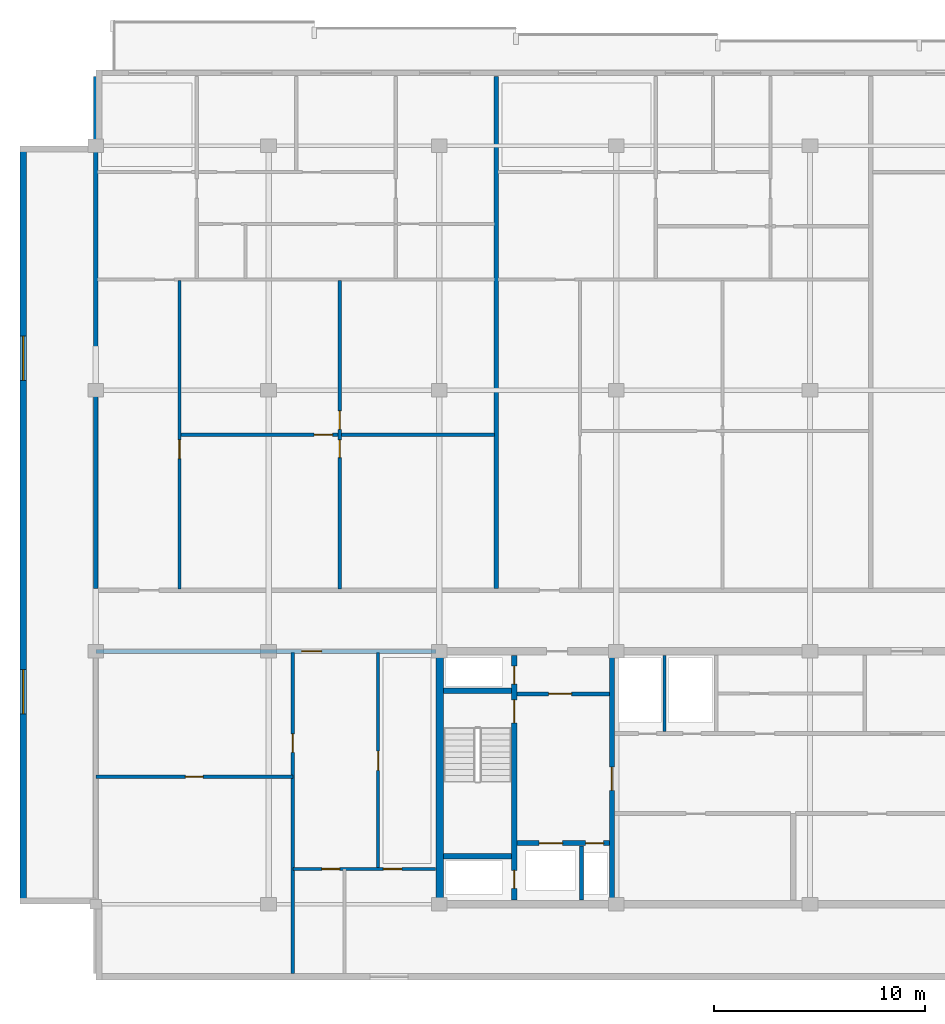
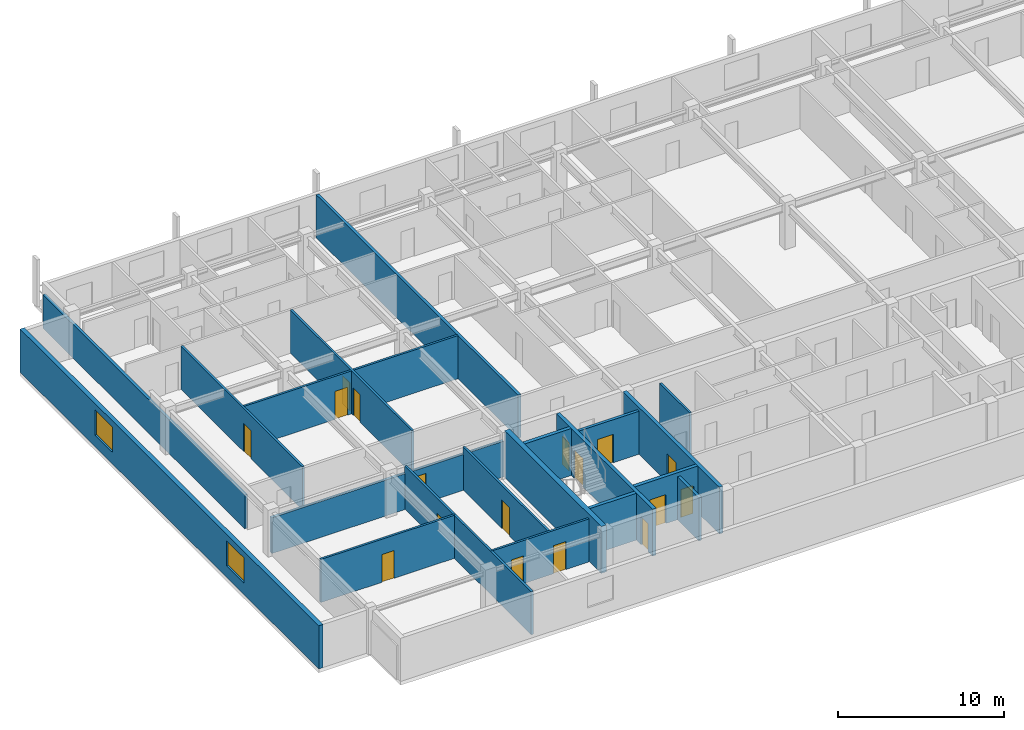
# One storey, part 3 of 11: 20 walls, 17 doors, 2 windows, 19 openings.
"""IFC4 building model written with IfcOpenShell, lengths in metres."""

from ifc_helpers import new_model, si_unit, direction, frame, frame_2d, origin, place, context, subcontext, project, spatial, rectangle, extrude, material, layer, layer_set, type_object, element, fill, save


model = new_model("IFC4")

# Units and contexts
model_context = context("Model", 3, precision=1e-05, world=origin(), true_north=direction((0.0, 1.0)))
body_context = subcontext(model_context, "Body", "Model", "MODEL_VIEW")
ifc_project = project(units=[si_unit("LENGTHUNIT", "METRE"), si_unit("AREAUNIT", "SQUARE_METRE"), si_unit("VOLUMEUNIT", "CUBIC_METRE"), si_unit("PLANEANGLEUNIT", "RADIAN"), si_unit("MASSUNIT", "GRAM", prefix="KILO")], contexts=[model_context])

# Site, building, storey
site_placement = place(None, origin())
site = spatial("IfcSite", under=ifc_project, at=site_placement, CompositionType="ELEMENT")
building_placement = place(site_placement, origin())
building = spatial("IfcBuilding", under=site, at=building_placement, Name="Korimba Cascade Residences", CompositionType="ELEMENT")
storey_placement = place(building_placement, frame((0.0, 0.0, 256.25)))
storey = spatial("IfcBuildingStorey", under=building, at=storey_placement, Name="L74", CompositionType="ELEMENT", Elevation=256.25)

# Wall, openings, windows
ifc_material_1 = material(Name="Precast concrete C40/50", Category="concrete")
ifc_layer_1 = layer(ifc_material_1, 0.300048828125)
ifc_layer_set_1 = layer_set([ifc_layer_1], Name="Precast concrete C40/50")
wall_type_1 = type_object("IfcWallType", Name="EW-STONE-300", PredefinedType="STANDARD", material=ifc_layer_set_1)
wall_1_placement = place(storey_placement, frame((56.35009765625, 91.199951171875, 0.0), z_axis=(0.0, 0.0, 1.0), x_axis=(0.0, -1.0, 0.0)))
wall_1 = element("IfcWall", 1, at=wall_1_placement, inside=storey, type_object=wall_type_1, Name="L74 T1 Perimeter Stone Wall E09", PredefinedType="STANDARD", context=body_context, shape_type="SweptSolid", body=[
    extrude(rectangle(XDim=36.0, YDim=0.300048828125, at=frame_2d((18.0, 0.0))), origin(), (0.0, 0.0, 1.0), 3.169921875),
])
opening_1_placement = place(wall_1_placement, frame((9.030029296875, 0.0, 0.85009765625)))
opening_1 = element("IfcOpeningElement", 2, at=opening_1_placement, cuts=wall_1, Name="Opening W-03", PredefinedType="OPENING", context=body_context, shape_type="SweptSolid", body=[
    extrude(rectangle(XDim=2.10009765625, YDim=1.85009765625, at=frame_2d((1.050048828125, 0.925048828125))), frame((0.0, 0.16015625, 0.0), z_axis=(0.0, -1.0, 0.0), x_axis=(1.0, 0.0, 0.0)), (0.0, 0.0, 1.0), 0.320068359375),
])
opening_2_placement = place(wall_1_placement, frame((24.8701171875, 0.0, 0.85009765625)))
opening_2 = element("IfcOpeningElement", 3, at=opening_2_placement, cuts=wall_1, Name="Opening W-03", PredefinedType="OPENING", context=body_context, shape_type="SweptSolid", body=[
    extrude(rectangle(XDim=2.10009765625, YDim=1.85009765625, at=frame_2d((1.050048828125, 0.925048828125))), frame((0.0, 0.16015625, 0.0), z_axis=(0.0, -1.0, 0.0), x_axis=(1.0, 0.0, 0.0)), (0.0, 0.0, 1.0), 0.320068359375),
])
ifc_material_2 = material(Name="Double-Glazed Aluminium Window", Category="aluminium")
window_type = type_object("IfcWindowType", Name="WIN-CRN-2100", PartitioningType="DOUBLE_PANEL_HORIZONTAL", PredefinedType="WINDOW", material=ifc_material_2)
window_1_placement = place(opening_1_placement, origin())
window_1 = element("IfcWindow", 4, at=window_1_placement, inside=storey, type_object=window_type, Name="L74 T1 End View Window 9.1", OverallHeight=1.85009765625, OverallWidth=2.10009765625, PartitioningType="DOUBLE_PANEL_HORIZONTAL", PredefinedType="WINDOW", context=body_context, shape_type="SweptSolid", body=[
    extrude(rectangle(XDim=2.10009765625, YDim=1.85009765625, at=frame_2d((1.050048828125, 0.925048828125))), frame((0.0, 0.030029296875, 0.0), z_axis=(0.0, -1.0, 0.0), x_axis=(1.0, 0.0, 0.0)), (0.0, 0.0, 1.0), 0.06005859375),
])
fill(opening_1, window_1)
window_2_placement = place(opening_2_placement, origin())
window_2 = element("IfcWindow", 5, at=window_2_placement, inside=storey, type_object=window_type, Name="L74 T1 End View Window 9.2", OverallHeight=1.85009765625, OverallWidth=2.10009765625, PartitioningType="DOUBLE_PANEL_HORIZONTAL", PredefinedType="WINDOW", context=body_context, shape_type="SweptSolid", body=[
    extrude(rectangle(XDim=2.10009765625, YDim=1.85009765625, at=frame_2d((1.050048828125, 0.925048828125))), frame((0.0, 0.030029296875, 0.0), z_axis=(0.0, -1.0, 0.0), x_axis=(1.0, 0.0, 0.0)), (0.0, 0.0, 1.0), 0.06005859375),
])
fill(opening_2, window_2)

# Wall
ifc_material_3 = material(Name="Concrete C65/80", Category="concrete")
ifc_layer_2 = layer(ifc_material_3, 0.35009765625)
ifc_layer_set_2 = layer_set([ifc_layer_2], Name="Concrete C65/80")
wall_type_2 = type_object("IfcWallType", Name="WAL-CORE-350", PredefinedType="SHEAR", material=ifc_layer_set_2)
wall_2_placement = place(storey_placement, frame((76.125, 55.375, 0.0), z_axis=(0.0, 0.0, 1.0), x_axis=(0.0, 1.0, 0.0)))
element("IfcWall", 6, at=wall_2_placement, inside=storey, type_object=wall_type_2, Name="L74 Core Shear Wall CW-L74-T1-W", PredefinedType="SHEAR", context=body_context, shape_type="SweptSolid", body=[
    extrude(rectangle(XDim=11.64990234375, YDim=0.35009765625, at=frame_2d((5.824951171875, 0.0))), origin(), (0.0, 0.0, 1.0), 3.449951171875),
])

# Wall, opening, door
ifc_layer_3 = layer(ifc_material_1, 0.199951171875)
ifc_layer_set_3 = layer_set([ifc_layer_3], Name="Precast concrete C40/50")
wall_type_3 = type_object("IfcWallType", Name="WAL-IT-200", PredefinedType="PARTITIONING", material=ifc_layer_set_3)
wall_3_placement = place(storey_placement, frame((59.800048828125, 67.199951171875, 0.0), z_axis=(0.0, 0.0, 1.0), x_axis=(1.0, 0.0, 0.0)))
wall_3 = element("IfcWall", 7, at=wall_3_placement, inside=storey, type_object=wall_type_3, Name="L74 Partition Wall WAL-L74-T1-FW-N", PredefinedType="PARTITIONING", context=body_context, shape_type="SweptSolid", body=[
    extrude(rectangle(XDim=16.14990234375, YDim=0.199951171875, at=frame_2d((8.074951171875, 0.0))), origin(), (0.0, 0.0, 1.0), 2.63330078125),
])
opening_3_placement = place(wall_3_placement, frame((9.7724609375, 0.0, 0.0)))
opening_3 = element("IfcOpeningElement", 8, at=opening_3_placement, cuts=wall_3, Name="Opening D-UN1", PredefinedType="OPENING", context=body_context, shape_type="SweptSolid", body=[
    extrude(rectangle(XDim=0.949951171875, YDim=2.14990234375, at=frame_2d((0.47509765625, 1.074951171875))), frame((0.0, 0.10986328125, 0.0), z_axis=(0.0, -1.0, 0.0), x_axis=(1.0, 0.0, 0.0)), (0.0, 0.0, 1.0), 0.219970703125),
])
ifc_material_4 = material(Name="Fire-Rated Hardwood Apartment Entrance Door", Category="wood")
door_type_1 = type_object("IfcDoorType", Name="DR-FD60-950", OperationType="NOTDEFINED", PredefinedType="DOOR", material=ifc_material_4)
door_1_placement = place(opening_3_placement, origin())
door_1 = element("IfcDoor", 9, at=door_1_placement, inside=storey, type_object=door_type_1, Name="L74-T1-FW Entrance Door", OperationType="SINGLE_SWING_RIGHT", OverallHeight=2.14990234375, OverallWidth=0.949951171875, PredefinedType="DOOR", context=body_context, shape_type="SweptSolid", body=[
    extrude(rectangle(XDim=0.949951171875, YDim=2.14990234375, at=frame_2d((0.47509765625, 1.074951171875))), frame((0.0, 0.02490234375, 0.0), z_axis=(0.0, -1.0, 0.0), x_axis=(1.0, 0.0, 0.0)), (0.0, 0.0, 1.0), 0.050048828125),
])
fill(opening_3, door_1)

# Walls
wall_4_placement = place(storey_placement, frame((59.800048828125, 70.179931640625, 0.0), z_axis=(0.0, 0.0, 1.0), x_axis=(0.0, 1.0, 0.0)))
element("IfcWall", 10, at=wall_4_placement, inside=storey, type_object=wall_type_3, Name="L74 Partition Wall WAL-L74-T1-BNDWL", PredefinedType="PARTITIONING", context=body_context, shape_type="SweptSolid", body=[
    extrude(rectangle(XDim=24.320068359375, YDim=0.199951171875, at=frame_2d((12.16015625, 0.0))), origin(), (0.0, 0.0, 1.0), 2.47705078125),
])
wall_5_placement = place(storey_placement, frame((78.80908203125, 70.179931640625, 0.0), z_axis=(0.0, 0.0, 1.0), x_axis=(0.0, 1.0, 0.0)))
element("IfcWall", 11, at=wall_5_placement, inside=storey, type_object=wall_type_3, Name="L74 Partition Wall WAL-L74-T1-DEM-1", PredefinedType="PARTITIONING", context=body_context, shape_type="SweptSolid", body=[
    extrude(rectangle(XDim=24.320068359375, YDim=0.199951171875, at=frame_2d((12.16015625, 0.0))), origin(), (0.0, 0.0, 1.0), 3.169921875),
])
ifc_material_5 = material(Name="Insulated Acoustic Stud Partition", Category="gypsum")
ifc_layer_4 = layer(ifc_material_5, 0.14990234375)
ifc_layer_set_4 = layer_set([ifc_layer_4], Name="Insulated Acoustic Stud Partition")
wall_type_4 = type_object("IfcWallType", Name="WAL-PART-150", PredefinedType="PARTITIONING", material=ifc_layer_set_4)
wall_6_placement = place(storey_placement, frame((86.800048828125, 63.39990234375, 0.0), z_axis=(0.0, 0.0, 1.0), x_axis=(0.0, 1.0, 0.0)))
element("IfcWall", 12, at=wall_6_placement, inside=storey, type_object=wall_type_4, Name="L74 Partition Wall CW-L74-T1-ERDIV", PredefinedType="PARTITIONING", context=body_context, shape_type="SweptSolid", body=[
    extrude(rectangle(XDim=3.60009765625, YDim=0.14990234375, at=frame_2d((1.800048828125, 0.0))), origin(), (0.0, 0.0, 1.0), 3.169921875),
])

# Wall, opening, door
wall_7_placement = place(storey_placement, frame((59.800048828125, 61.25, 0.0), z_axis=(0.0, 0.0, 1.0), x_axis=(1.0, 0.0, 0.0)))
wall_7 = element("IfcWall", 13, at=wall_7_placement, inside=storey, type_object=wall_type_4, Name="L74 Partition Wall WAL-L74-T1-FW-STH", PredefinedType="PARTITIONING", context=body_context, shape_type="SweptSolid", body=[
    extrude(rectangle(XDim=9.349853515625, YDim=0.14990234375, at=frame_2d((4.6748046875, 0.0))), origin(), (0.0, 0.0, 1.0), 3.169921875),
])
opening_4_placement = place(wall_7_placement, frame((4.2548828125, 0.0, 0.0)))
opening_4 = element("IfcOpeningElement", 14, at=opening_4_placement, cuts=wall_7, Name="Opening D-BT1", PredefinedType="OPENING", context=body_context, shape_type="SweptSolid", body=[
    extrude(rectangle(XDim=0.840087890625, YDim=2.0400390625, at=frame_2d((0.419921875, 1.02001953125))), frame((0.0, 0.0849609375, 0.0), z_axis=(0.0, -1.0, 0.0), x_axis=(1.0, 0.0, 0.0)), (0.0, 0.0, 1.0), 0.169921875),
])
ifc_material_6 = material(Name="Moisture-Resistant Bathroom Timber Door", Category="wood")
door_type_2 = type_object("IfcDoorType", Name="DR-INT-850", OperationType="NOTDEFINED", PredefinedType="DOOR", material=ifc_material_6)
door_2_placement = place(opening_4_placement, origin())
door_2 = element("IfcDoor", 15, at=door_2_placement, inside=storey, type_object=door_type_2, Name="L74-T1-FW Dressing Store Door", OperationType="SINGLE_SWING_LEFT", OverallHeight=2.0400390625, OverallWidth=0.840087890625, PredefinedType="DOOR", context=body_context, shape_type="SweptSolid", body=[
    extrude(rectangle(XDim=0.840087890625, YDim=2.0400390625, at=frame_2d((0.419921875, 1.02001953125))), frame((0.0, 0.02490234375, 0.0), z_axis=(0.0, -1.0, 0.0), x_axis=(1.0, 0.0, 0.0)), (0.0, 0.0, 1.0), 0.050048828125),
])
fill(opening_4, door_2)

wall_8_placement = place(storey_placement, frame((69.14990234375, 51.89990234375, 0.0), z_axis=(0.0, 0.0, 1.0), x_axis=(0.0, 1.0, 0.0)))
wall_8 = element("IfcWall", 16, at=wall_8_placement, inside=storey, type_object=wall_type_4, Name="L74 Partition Wall WAL-L74-T1-FW-STV", PredefinedType="PARTITIONING", context=body_context, shape_type="SweptSolid", body=[
    extrude(rectangle(XDim=15.25, YDim=0.14990234375, at=frame_2d((7.625, 0.0))), origin(), (0.0, 0.0, 1.0), 3.169921875),
])
opening_5_placement = place(wall_8_placement, frame((10.5, 0.0, 0.0)))
opening_5 = element("IfcOpeningElement", 17, at=opening_5_placement, cuts=wall_8, Name="Opening D-IN2", PredefinedType="OPENING", context=body_context, shape_type="SweptSolid", body=[
    extrude(rectangle(XDim=0.8798828125, YDim=2.06005859375, at=frame_2d((0.43994140625, 1.030029296875))), frame((0.0, 0.0849609375, 0.0), z_axis=(0.0, -1.0, 0.0), x_axis=(1.0, 0.0, 0.0)), (0.0, 0.0, 1.0), 0.169921875),
])
ifc_material_7 = material(Name="Acoustic Timber Bedroom Door", Category="wood")
door_type_3 = type_object("IfcDoorType", Name="DR-INT-880", OperationType="NOTDEFINED", PredefinedType="DOOR", material=ifc_material_7)
door_3_placement = place(opening_5_placement, origin())
door_3 = element("IfcDoor", 18, at=door_3_placement, inside=storey, type_object=door_type_3, Name="L74-T1-FW Study Door", OperationType="SINGLE_SWING_RIGHT", OverallHeight=2.06005859375, OverallWidth=0.8798828125, PredefinedType="DOOR", context=body_context, shape_type="SweptSolid", body=[
    extrude(rectangle(XDim=0.8798828125, YDim=2.06005859375, at=frame_2d((0.43994140625, 1.030029296875))), frame((0.0, 0.02490234375, 0.0), z_axis=(0.0, -1.0, 0.0), x_axis=(1.0, 0.0, 0.0)), (0.0, 0.0, 1.0), 0.050048828125),
])
fill(opening_5, door_3)

wall_9_placement = place(storey_placement, frame((73.199951171875, 56.8701171875, 0.0), z_axis=(0.0, 0.0, 1.0), x_axis=(0.0, 1.0, 0.0)))
wall_9 = element("IfcWall", 19, at=wall_9_placement, inside=storey, type_object=wall_type_4, Name="L74 Partition Wall WAL-L74-T1-FW-VN", PredefinedType="PARTITIONING", context=body_context, shape_type="SweptSolid", body=[
    extrude(rectangle(XDim=10.27978515625, YDim=0.14990234375, at=frame_2d((5.139892578125, 0.0))), origin(), (0.0, 0.0, 1.0), 3.169921875),
])
opening_6_placement = place(wall_9_placement, frame((4.679931640625, 0.0, 0.0)))
opening_6 = element("IfcOpeningElement", 20, at=opening_6_placement, cuts=wall_9, Name="Opening D-IN1", PredefinedType="OPENING", context=body_context, shape_type="SweptSolid", body=[
    extrude(rectangle(XDim=0.919921875, YDim=2.080078125, at=frame_2d((0.4599609375, 1.0400390625))), frame((0.0, 0.0849609375, 0.0), z_axis=(0.0, -1.0, 0.0), x_axis=(1.0, 0.0, 0.0)), (0.0, 0.0, 1.0), 0.169921875),
])
ifc_material_8 = material(Name="Acoustic Timber Living Door", Category="wood")
door_type_4 = type_object("IfcDoorType", Name="DR-INT-920", OperationType="NOTDEFINED", PredefinedType="DOOR", material=ifc_material_8)
door_4_placement = place(opening_6_placement, origin())
door_4 = element("IfcDoor", 21, at=door_4_placement, inside=storey, type_object=door_type_4, Name="L74-T1-FW Living Door", OperationType="SINGLE_SWING_LEFT", OverallHeight=2.080078125, OverallWidth=0.919921875, PredefinedType="DOOR", context=body_context, shape_type="SweptSolid", body=[
    extrude(rectangle(XDim=0.919921875, YDim=2.080078125, at=frame_2d((0.4599609375, 1.0400390625))), frame((0.0, 0.02490234375, 0.0), z_axis=(0.0, -1.0, 0.0), x_axis=(1.0, 0.0, 0.0)), (0.0, 0.0, 1.0), 0.050048828125),
])
fill(opening_6, door_4)

# Wall, openings, doors
wall_10_placement = place(storey_placement, frame((69.169921875, 56.8701171875, 0.0), z_axis=(0.0, 0.0, 1.0), x_axis=(1.0, 0.0, 0.0)))
wall_10 = element("IfcWall", 22, at=wall_10_placement, inside=storey, type_object=wall_type_4, Name="L74 Partition Wall WAL-L74-T1-FW-H", PredefinedType="PARTITIONING", context=body_context, shape_type="SweptSolid", body=[
    extrude(rectangle(XDim=6.760009765625, YDim=0.14990234375, at=frame_2d((3.3798828125, 0.0))), origin(), (0.0, 0.0, 1.0), 3.169921875),
])
opening_7_placement = place(wall_10_placement, frame((1.3623046875, 0.0, 0.0)))
opening_7 = element("IfcOpeningElement", 23, at=opening_7_placement, cuts=wall_10, Name="Opening D-BT1", PredefinedType="OPENING", context=body_context, shape_type="SweptSolid", body=[
    extrude(rectangle(XDim=0.840087890625, YDim=2.0400390625, at=frame_2d((0.419921875, 1.02001953125))), frame((0.0, 0.0849609375, 0.0), z_axis=(0.0, -1.0, 0.0), x_axis=(1.0, 0.0, 0.0)), (0.0, 0.0, 1.0), 0.169921875),
])
opening_8_placement = place(wall_10_placement, frame((4.276611328125, 0.0, 0.0)))
opening_8 = element("IfcOpeningElement", 24, at=opening_8_placement, cuts=wall_10, Name="Opening D-IN2", PredefinedType="OPENING", context=body_context, shape_type="SweptSolid", body=[
    extrude(rectangle(XDim=0.8798828125, YDim=2.06005859375, at=frame_2d((0.43994140625, 1.030029296875))), frame((0.0, 0.0849609375, 0.0), z_axis=(0.0, -1.0, 0.0), x_axis=(1.0, 0.0, 0.0)), (0.0, 0.0, 1.0), 0.169921875),
])
door_5_placement = place(opening_7_placement, origin())
door_5 = element("IfcDoor", 25, at=door_5_placement, inside=storey, type_object=door_type_2, Name="L74-T1-FW Bathroom Door", OperationType="SINGLE_SWING_RIGHT", OverallHeight=2.0400390625, OverallWidth=0.840087890625, PredefinedType="DOOR", context=body_context, shape_type="SweptSolid", body=[
    extrude(rectangle(XDim=0.840087890625, YDim=2.0400390625, at=frame_2d((0.419921875, 1.02001953125))), frame((0.0, 0.02490234375, 0.0), z_axis=(0.0, -1.0, 0.0), x_axis=(1.0, 0.0, 0.0)), (0.0, 0.0, 1.0), 0.050048828125),
])
fill(opening_7, door_5)
door_6_placement = place(opening_8_placement, origin())
door_6 = element("IfcDoor", 26, at=door_6_placement, inside=storey, type_object=door_type_3, Name="L74-T1-FW Bedroom Door", OperationType="SINGLE_SWING_LEFT", OverallHeight=2.06005859375, OverallWidth=0.8798828125, PredefinedType="DOOR", context=body_context, shape_type="SweptSolid", body=[
    extrude(rectangle(XDim=0.8798828125, YDim=2.06005859375, at=frame_2d((0.43994140625, 1.030029296875))), frame((0.0, 0.02490234375, 0.0), z_axis=(0.0, -1.0, 0.0), x_axis=(1.0, 0.0, 0.0)), (0.0, 0.0, 1.0), 0.050048828125),
])
fill(opening_8, door_6)

wall_11_placement = place(storey_placement, frame((71.37939453125, 70.159912109375, 0.0), z_axis=(0.0, 0.0, 1.0), x_axis=(0.0, 1.0, 0.0)))
wall_11 = element("IfcWall", 27, at=wall_11_placement, inside=storey, type_object=wall_type_4, Name="L74 Partition Wall WAL-L74-T1-U01-FMV", PredefinedType="PARTITIONING", context=body_context, shape_type="SweptSolid", body=[
    extrude(rectangle(XDim=14.650146484375, YDim=0.14990234375, at=frame_2d((7.3251953125, 0.0))), origin(), (0.0, 0.0, 1.0), 3.169921875),
])
opening_9_placement = place(wall_11_placement, frame((6.235107421875, 0.0, 0.0)))
opening_9 = element("IfcOpeningElement", 28, at=opening_9_placement, cuts=wall_11, Name="Opening D-BT1", PredefinedType="OPENING", context=body_context, shape_type="SweptSolid", body=[
    extrude(rectangle(XDim=0.840087890625, YDim=2.0400390625, at=frame_2d((0.419921875, 1.02001953125))), frame((0.0, 0.0849609375, 0.0), z_axis=(0.0, -1.0, 0.0), x_axis=(1.0, 0.0, 0.0)), (0.0, 0.0, 1.0), 0.169921875),
])
opening_10_placement = place(wall_11_placement, frame((7.574951171875, 0.0, 0.0)))
opening_10 = element("IfcOpeningElement", 29, at=opening_10_placement, cuts=wall_11, Name="Opening D-IN2", PredefinedType="OPENING", context=body_context, shape_type="SweptSolid", body=[
    extrude(rectangle(XDim=0.8798828125, YDim=2.06005859375, at=frame_2d((0.43994140625, 1.030029296875))), frame((0.0, 0.0849609375, 0.0), z_axis=(0.0, -1.0, 0.0), x_axis=(1.0, 0.0, 0.0)), (0.0, 0.0, 1.0), 0.169921875),
])
door_7_placement = place(opening_9_placement, origin())
door_7 = element("IfcDoor", 30, at=door_7_placement, inside=storey, type_object=door_type_2, Name="L74-T1-U01 Wardrobe Door", OperationType="SINGLE_SWING_LEFT", OverallHeight=2.0400390625, OverallWidth=0.840087890625, PredefinedType="DOOR", context=body_context, shape_type="SweptSolid", body=[
    extrude(rectangle(XDim=0.840087890625, YDim=2.0400390625, at=frame_2d((0.419921875, 1.02001953125))), frame((0.0, 0.02490234375, 0.0), z_axis=(0.0, -1.0, 0.0), x_axis=(1.0, 0.0, 0.0)), (0.0, 0.0, 1.0), 0.050048828125),
])
fill(opening_9, door_7)
door_8_placement = place(opening_10_placement, origin())
door_8 = element("IfcDoor", 31, at=door_8_placement, inside=storey, type_object=door_type_3, Name="L74-T1-U01 Music Lounge Door", OperationType="SINGLE_SWING_RIGHT", OverallHeight=2.06005859375, OverallWidth=0.8798828125, PredefinedType="DOOR", context=body_context, shape_type="SweptSolid", body=[
    extrude(rectangle(XDim=0.8798828125, YDim=2.06005859375, at=frame_2d((0.43994140625, 1.030029296875))), frame((0.0, 0.02490234375, 0.0), z_axis=(0.0, -1.0, 0.0), x_axis=(1.0, 0.0, 0.0)), (0.0, 0.0, 1.0), 0.050048828125),
])
fill(opening_10, door_8)

# Wall, opening, door
wall_12_placement = place(storey_placement, frame((63.830078125, 77.485107421875, 0.0), z_axis=(0.0, 0.0, 1.0), x_axis=(1.0, 0.0, 0.0)))
wall_12 = element("IfcWall", 32, at=wall_12_placement, inside=storey, type_object=wall_type_4, Name="L74 Partition Wall WAL-L74-T1-U01-FMH", PredefinedType="PARTITIONING", context=body_context, shape_type="SweptSolid", body=[
    extrude(rectangle(XDim=14.89892578125, YDim=0.14990234375, at=frame_2d((7.449462890625, 0.0))), origin(), (0.0, 0.0, 1.0), 3.169921875),
])
opening_11_placement = place(wall_12_placement, frame((6.327392578125, 0.0, 0.0)))
opening_11 = element("IfcOpeningElement", 33, at=opening_11_placement, cuts=wall_12, Name="Opening D-IN2", PredefinedType="OPENING", context=body_context, shape_type="SweptSolid", body=[
    extrude(rectangle(XDim=0.8798828125, YDim=2.06005859375, at=frame_2d((0.43994140625, 1.030029296875))), frame((0.0, 0.0849609375, 0.0), z_axis=(0.0, -1.0, 0.0), x_axis=(1.0, 0.0, 0.0)), (0.0, 0.0, 1.0), 0.169921875),
])
door_9_placement = place(opening_11_placement, origin())
door_9 = element("IfcDoor", 34, at=door_9_placement, inside=storey, type_object=door_type_3, Name="L74-T1-U01 Library Salon Door", OperationType="SINGLE_SWING_LEFT", OverallHeight=2.06005859375, OverallWidth=0.8798828125, PredefinedType="DOOR", context=body_context, shape_type="SweptSolid", body=[
    extrude(rectangle(XDim=0.8798828125, YDim=2.06005859375, at=frame_2d((0.43994140625, 1.030029296875))), frame((0.0, 0.02490234375, 0.0), z_axis=(0.0, -1.0, 0.0), x_axis=(1.0, 0.0, 0.0)), (0.0, 0.0, 1.0), 0.050048828125),
])
fill(opening_11, door_9)

wall_13_placement = place(storey_placement, frame((63.77001953125, 70.159912109375, 0.0), z_axis=(0.0, 0.0, 1.0), x_axis=(0.0, 1.0, 0.0)))
wall_13 = element("IfcWall", 35, at=wall_13_placement, inside=storey, type_object=wall_type_4, Name="L74 Partition Wall WAL-L74-T1-U01-FV", PredefinedType="PARTITIONING", context=body_context, shape_type="SweptSolid", body=[
    extrude(rectangle(XDim=14.650146484375, YDim=0.14990234375, at=frame_2d((7.3251953125, 0.0))), origin(), (0.0, 0.0, 1.0), 3.169921875),
])
opening_12_placement = place(wall_13_placement, frame((6.195068359375, 0.0, 0.0)))
opening_12 = element("IfcOpeningElement", 36, at=opening_12_placement, cuts=wall_13, Name="Opening D-IN2", PredefinedType="OPENING", context=body_context, shape_type="SweptSolid", body=[
    extrude(rectangle(XDim=0.8798828125, YDim=2.06005859375, at=frame_2d((0.43994140625, 1.030029296875))), frame((0.0, 0.0849609375, 0.0), z_axis=(0.0, -1.0, 0.0), x_axis=(1.0, 0.0, 0.0)), (0.0, 0.0, 1.0), 0.169921875),
])
door_10_placement = place(opening_12_placement, origin())
door_10 = element("IfcDoor", 37, at=door_10_placement, inside=storey, type_object=door_type_3, Name="L74-T1-U01 Media Lounge Door", OperationType="SINGLE_SWING_RIGHT", OverallHeight=2.06005859375, OverallWidth=0.8798828125, PredefinedType="DOOR", context=body_context, shape_type="SweptSolid", body=[
    extrude(rectangle(XDim=0.8798828125, YDim=2.06005859375, at=frame_2d((0.43994140625, 1.030029296875))), frame((0.0, 0.02490234375, 0.0), z_axis=(0.0, -1.0, 0.0), x_axis=(1.0, 0.0, 0.0)), (0.0, 0.0, 1.0), 0.050048828125),
])
fill(opening_12, door_10)

# Wall
ifc_material_9 = material(Name="Concrete C40/50", Category="concrete")
ifc_layer_5 = layer(ifc_material_9, 0.199951171875)
ifc_layer_set_5 = layer_set([ifc_layer_5], Name="Concrete C40/50")
wall_type_5 = type_object("IfcWallType", Name="WAL-PART-200", PredefinedType="PARTITIONING", material=ifc_layer_set_5)
wall_14_placement = place(storey_placement, frame((82.85009765625, 55.39990234375, 0.0), z_axis=(0.0, 0.0, 1.0), x_axis=(0.0, 1.0, 0.0)))
element("IfcWall", 38, at=wall_14_placement, inside=storey, type_object=wall_type_5, Name="L74 Partition Wall CW-L74-T1-FFLDIV", PredefinedType="PARTITIONING", context=body_context, shape_type="SweptSolid", body=[
    extrude(rectangle(XDim=2.56005859375, YDim=0.199951171875, at=frame_2d((1.280029296875, 0.0))), origin(), (0.0, 0.0, 1.0), 3.169921875),
])

# Wall, opening, door
wall_15_placement = place(storey_placement, frame((79.7900390625, 65.179931640625, 0.0), z_axis=(0.0, 0.0, 1.0), x_axis=(1.0, 0.0, 0.0)))
wall_15 = element("IfcWall", 39, at=wall_15_placement, inside=storey, type_object=wall_type_5, Name="L74 Partition Wall CW-L74-T1-FFLN", PredefinedType="PARTITIONING", context=body_context, shape_type="SweptSolid", body=[
    extrude(rectangle(XDim=4.389892578125, YDim=0.199951171875, at=frame_2d((2.19482421875, 0.0))), origin(), (0.0, 0.0, 1.0), 3.169921875),
])
opening_13_placement = place(wall_15_placement, frame((1.5, 0.0, 0.0)))
opening_13 = element("IfcOpeningElement", 40, at=opening_13_placement, cuts=wall_15, Name="Opening D-FD1", PredefinedType="OPENING", context=body_context, shape_type="SweptSolid", body=[
    extrude(rectangle(XDim=1.10009765625, YDim=2.10009765625, at=frame_2d((0.550048828125, 1.050048828125))), frame((0.0, 0.10986328125, 0.0), z_axis=(0.0, -1.0, 0.0), x_axis=(1.0, 0.0, 0.0)), (0.0, 0.0, 1.0), 0.219970703125),
])
ifc_material_10 = material(Name="Fire-Rated Steel Core Door", Category="steel")
door_type_5 = type_object("IfcDoorType", Name="DR-FD120-1100", OperationType="NOTDEFINED", PredefinedType="DOOR", material=ifc_material_10)
door_11_placement = place(opening_13_placement, origin())
door_11 = element("IfcDoor", 41, at=door_11_placement, inside=storey, type_object=door_type_5, Name="L74 West Firefighting Lobby Door", OperationType="SINGLE_SWING_RIGHT", OverallHeight=2.10009765625, OverallWidth=1.10009765625, PredefinedType="DOOR", context=body_context, shape_type="SweptSolid", body=[
    extrude(rectangle(XDim=1.10009765625, YDim=2.10009765625, at=frame_2d((0.550048828125, 1.050048828125))), frame((0.0, 0.02490234375, 0.0), z_axis=(0.0, -1.0, 0.0), x_axis=(1.0, 0.0, 0.0)), (0.0, 0.0, 1.0), 0.050048828125),
])
fill(opening_13, door_11)

# Wall, openings, doors
ifc_material_11 = material(Name="Concrete C50/60", Category="concrete")
ifc_layer_6 = layer(ifc_material_11, 0.25)
ifc_layer_set_6 = layer_set([ifc_layer_6], Name="Concrete C50/60")
wall_type_6 = type_object("IfcWallType", Name="WAL-SHAFT-250", PredefinedType="SHEAR", material=ifc_layer_set_6)
wall_16_placement = place(storey_placement, frame((79.6650390625, 55.39990234375, 0.0), z_axis=(0.0, 0.0, 1.0), x_axis=(0.0, 1.0, 0.0)))
wall_16 = element("IfcWall", 42, at=wall_16_placement, inside=storey, type_object=wall_type_6, Name="L74 Core Shear Wall CW-L74-T1-STW1E", PredefinedType="SHEAR", context=body_context, shape_type="SweptSolid", body=[
    extrude(rectangle(XDim=11.60009765625, YDim=0.25, at=frame_2d((5.800048828125, 0.0))), origin(), (0.0, 0.0, 1.0), 3.449951171875),
])
opening_14_placement = place(wall_16_placement, frame((0.550048828125, 0.0, 0.0)))
opening_14 = element("IfcOpeningElement", 43, at=opening_14_placement, cuts=wall_16, Name="Opening D-RS1", PredefinedType="OPENING", context=body_context, shape_type="SweptSolid", body=[
    extrude(rectangle(XDim=0.85009765625, YDim=2.050048828125, at=frame_2d((0.425048828125, 1.02490234375))), frame((0.0, 0.135009765625, 0.0), z_axis=(0.0, -1.0, 0.0), x_axis=(1.0, 0.0, 0.0)), (0.0, 0.0, 1.0), 0.27001953125),
])
opening_15_placement = place(wall_16_placement, frame((8.39990234375, 0.0, 0.0)))
opening_15 = element("IfcOpeningElement", 44, at=opening_15_placement, cuts=wall_16, Name="Opening D-FD1", PredefinedType="OPENING", context=body_context, shape_type="SweptSolid", body=[
    extrude(rectangle(XDim=1.10009765625, YDim=2.10009765625, at=frame_2d((0.550048828125, 1.050048828125))), frame((0.0, 0.135009765625, 0.0), z_axis=(0.0, -1.0, 0.0), x_axis=(1.0, 0.0, 0.0)), (0.0, 0.0, 1.0), 0.27001953125),
])
opening_16_placement = place(wall_16_placement, frame((10.25, 0.0, 0.0)))
opening_16 = element("IfcOpeningElement", 45, at=opening_16_placement, cuts=wall_16, Name="Opening D-RS1", PredefinedType="OPENING", context=body_context, shape_type="SweptSolid", body=[
    extrude(rectangle(XDim=0.85009765625, YDim=2.050048828125, at=frame_2d((0.425048828125, 1.02490234375))), frame((0.0, 0.135009765625, 0.0), z_axis=(0.0, -1.0, 0.0), x_axis=(1.0, 0.0, 0.0)), (0.0, 0.0, 1.0), 0.27001953125),
])
door_12_placement = place(opening_15_placement, origin())
door_12 = element("IfcDoor", 46, at=door_12_placement, inside=storey, type_object=door_type_5, Name="L74 Fire Stair ST-W1 Door", OperationType="SINGLE_SWING_LEFT", OverallHeight=2.10009765625, OverallWidth=1.10009765625, PredefinedType="DOOR", context=body_context, shape_type="SweptSolid", body=[
    extrude(rectangle(XDim=1.10009765625, YDim=2.10009765625, at=frame_2d((0.550048828125, 1.050048828125))), frame((0.0, 0.02490234375, 0.0), z_axis=(0.0, -1.0, 0.0), x_axis=(1.0, 0.0, 0.0)), (0.0, 0.0, 1.0), 0.050048828125),
])
fill(opening_15, door_12)
ifc_material_12 = material(Name="Fire-Rated Steel Riser Access Door", Category="steel")
door_type_6 = type_object("IfcDoorType", Name="DR-FD60-850", OperationType="NOTDEFINED", PredefinedType="DOOR", material=ifc_material_12)
door_13_placement = place(opening_14_placement, origin())
door_13 = element("IfcDoor", 47, at=door_13_placement, inside=storey, type_object=door_type_6, Name="L74 Smoke Riser Access Door", OperationType="SINGLE_SWING_RIGHT", OverallHeight=2.050048828125, OverallWidth=0.85009765625, PredefinedType="DOOR", context=body_context, shape_type="SweptSolid", body=[
    extrude(rectangle(XDim=0.85009765625, YDim=2.050048828125, at=frame_2d((0.425048828125, 1.02490234375))), frame((0.0, 0.02490234375, 0.0), z_axis=(0.0, -1.0, 0.0), x_axis=(1.0, 0.0, 0.0)), (0.0, 0.0, 1.0), 0.050048828125),
])
fill(opening_14, door_13)
door_14_placement = place(opening_16_placement, origin())
door_14 = element("IfcDoor", 48, at=door_14_placement, inside=storey, type_object=door_type_6, Name="L74 Hydrant Riser Access Door", OperationType="SINGLE_SWING_RIGHT", OverallHeight=2.050048828125, OverallWidth=0.85009765625, PredefinedType="DOOR", context=body_context, shape_type="SweptSolid", body=[
    extrude(rectangle(XDim=0.85009765625, YDim=2.050048828125, at=frame_2d((0.425048828125, 1.02490234375))), frame((0.0, 0.02490234375, 0.0), z_axis=(0.0, -1.0, 0.0), x_axis=(1.0, 0.0, 0.0)), (0.0, 0.0, 1.0), 0.050048828125),
])
fill(opening_16, door_14)

# Walls
for number, where, z_axis, x_axis, name in (
    (49, (76.300048828125, 57.47509765625, 0.0), (0.0, 0.0, 1.0), (1.0, 0.0, 0.0), "L74 Core Shear Wall CW-L74-T1-STW1S"),
    (50, (76.300048828125, 65.324951171875, 0.0), (0.0, 0.0, 1.0), (1.0, 0.0, 0.0), "L74 Core Shear Wall CW-L74-T1-STW1N"),
):
    element("IfcWall", number, at=place(storey_placement, frame(where, z_axis=z_axis, x_axis=x_axis)), inside=storey, type_object=wall_type_6, Name=name, PredefinedType="SHEAR", context=body_context, shape_type="SweptSolid", body=[
        extrude(rectangle(XDim=3.239990234375, YDim=0.25, at=frame_2d((1.6201171875, 0.0))), origin(), (0.0, 0.0, 1.0), 3.449951171875),
    ])

# Wall, openings, doors
wall_17_placement = place(storey_placement, frame((79.7900390625, 58.10009765625, 0.0), z_axis=(0.0, 0.0, 1.0), x_axis=(1.0, 0.0, 0.0)))
wall_17 = element("IfcWall", 51, at=wall_17_placement, inside=storey, type_object=wall_type_6, Name="L74 Core Shear Wall CW-L74-T1-FFLS", PredefinedType="SHEAR", context=body_context, shape_type="SweptSolid", body=[
    extrude(rectangle(XDim=4.389892578125, YDim=0.25, at=frame_2d((2.19482421875, 0.0))), origin(), (0.0, 0.0, 1.0), 3.449951171875),
])
opening_17_placement = place(wall_17_placement, frame((1.050048828125, 0.0, 0.0)))
opening_17 = element("IfcOpeningElement", 52, at=opening_17_placement, cuts=wall_17, Name="Opening LD-01", PredefinedType="OPENING", context=body_context, shape_type="SweptSolid", body=[
    extrude(rectangle(XDim=1.1201171875, YDim=2.1201171875, at=frame_2d((0.56005859375, 1.06005859375))), frame((0.0, 0.135009765625, 0.0), z_axis=(0.0, -1.0, 0.0), x_axis=(1.0, 0.0, 0.0)), (0.0, 0.0, 1.0), 0.27001953125),
])
opening_18_placement = place(wall_17_placement, frame((3.260009765625, 0.0, 0.0)))
opening_18 = element("IfcOpeningElement", 53, at=opening_18_placement, cuts=wall_17, Name="Opening D-RS1", PredefinedType="OPENING", context=body_context, shape_type="SweptSolid", body=[
    extrude(rectangle(XDim=0.85009765625, YDim=2.050048828125, at=frame_2d((0.425048828125, 1.02490234375))), frame((0.0, 0.135009765625, 0.0), z_axis=(0.0, -1.0, 0.0), x_axis=(1.0, 0.0, 0.0)), (0.0, 0.0, 1.0), 0.27001953125),
])
door_15_placement = place(opening_18_placement, origin())
door_15 = element("IfcDoor", 54, at=door_15_placement, inside=storey, type_object=door_type_6, Name="L74 Pressurisation Riser Door", OperationType="SINGLE_SWING_LEFT", OverallHeight=2.050048828125, OverallWidth=0.85009765625, PredefinedType="DOOR", context=body_context, shape_type="SweptSolid", body=[
    extrude(rectangle(XDim=0.85009765625, YDim=2.050048828125, at=frame_2d((0.425048828125, 1.02490234375))), frame((0.0, 0.02490234375, 0.0), z_axis=(0.0, -1.0, 0.0), x_axis=(1.0, 0.0, 0.0)), (0.0, 0.0, 1.0), 0.050048828125),
])
fill(opening_18, door_15)
ifc_material_13 = material(Name="Stainless Steel Lift Landing Sliding Door", Category="steel")
door_type_7 = type_object("IfcDoorType", Name="DR-LIFT-1100", OperationType="NOTDEFINED", PredefinedType="DOOR", material=ifc_material_13)
door_16_placement = place(opening_17_placement, origin())
door_16 = element("IfcDoor", 55, at=door_16_placement, inside=storey, type_object=door_type_7, Name="L74 Firefighting Lift Landing Door FFL-W1", OperationType="SLIDING_TO_LEFT", OverallHeight=2.1201171875, OverallWidth=1.1201171875, PredefinedType="DOOR", context=body_context, shape_type="SweptSolid", body=[
    extrude(rectangle(XDim=1.1201171875, YDim=2.1201171875, at=frame_2d((0.56005859375, 1.06005859375))), frame((0.0, 0.02490234375, 0.0), z_axis=(0.0, -1.0, 0.0), x_axis=(1.0, 0.0, 0.0)), (0.0, 0.0, 1.0), 0.050048828125),
])
fill(opening_17, door_16)

# Wall, opening, door
wall_18_placement = place(storey_placement, frame((84.300048828125, 55.39990234375, 0.0), z_axis=(0.0, 0.0, 1.0), x_axis=(0.0, 1.0, 0.0)))
wall_18 = element("IfcWall", 56, at=wall_18_placement, inside=storey, type_object=wall_type_6, Name="L74 Core Shear Wall CW-L74-T1-FFLE", PredefinedType="SHEAR", context=body_context, shape_type="SweptSolid", body=[
    extrude(rectangle(XDim=11.60009765625, YDim=0.25, at=frame_2d((5.800048828125, 0.0))), origin(), (0.0, 0.0, 1.0), 3.449951171875),
])
opening_19_placement = place(wall_18_placement, frame((5.199951171875, 0.0, 0.0)))
opening_19 = element("IfcOpeningElement", 57, at=opening_19_placement, cuts=wall_18, Name="Opening D-FD1", PredefinedType="OPENING", context=body_context, shape_type="SweptSolid", body=[
    extrude(rectangle(XDim=1.10009765625, YDim=2.10009765625, at=frame_2d((0.550048828125, 1.050048828125))), frame((0.0, 0.135009765625, 0.0), z_axis=(0.0, -1.0, 0.0), x_axis=(1.0, 0.0, 0.0)), (0.0, 0.0, 1.0), 0.27001953125),
])
door_17_placement = place(opening_19_placement, origin())
door_17 = element("IfcDoor", 58, at=door_17_placement, inside=storey, type_object=door_type_5, Name="L74 Firefighting Lobby to Lift Lobby Door", OperationType="SINGLE_SWING_LEFT", OverallHeight=2.10009765625, OverallWidth=1.10009765625, PredefinedType="DOOR", context=body_context, shape_type="SweptSolid", body=[
    extrude(rectangle(XDim=1.10009765625, YDim=2.10009765625, at=frame_2d((0.550048828125, 1.050048828125))), frame((0.0, 0.02490234375, 0.0), z_axis=(0.0, -1.0, 0.0), x_axis=(1.0, 0.0, 0.0)), (0.0, 0.0, 1.0), 0.050048828125),
])
fill(opening_19, door_17)

save(model, "model.ifc")
